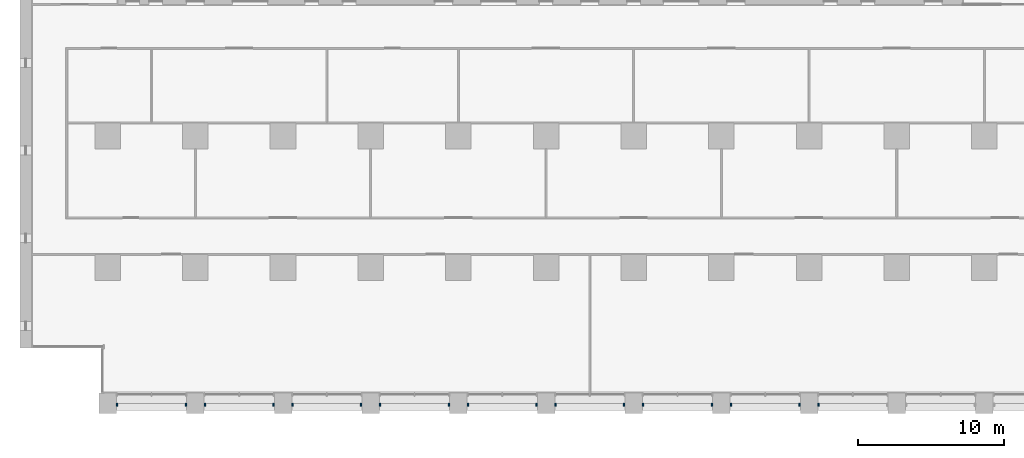
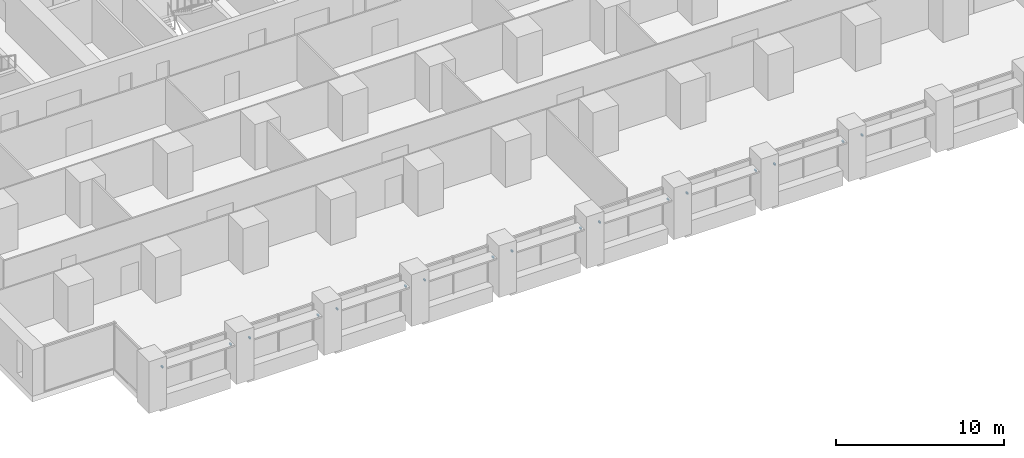
# One storey, part 15 of 18: 17 discrete accessories.
"""IFC4 building model written with IfcOpenShell, lengths in metres."""

from ifc_helpers import new_model, si_unit, direction, frame, origin, origin_2d, place, context, subcontext, project, spatial, rectangle, extrude, element, save


model = new_model("IFC4")

# Units and contexts
model_context = context("Model", 3, precision=1e-05, world=origin(), true_north=direction((0.0, 1.0)))
body_context = subcontext(model_context, "Body", "Model", "MODEL_VIEW")
ifc_project = project(units=[si_unit("LENGTHUNIT", "METRE"), si_unit("AREAUNIT", "SQUARE_METRE"), si_unit("VOLUMEUNIT", "CUBIC_METRE"), si_unit("PLANEANGLEUNIT", "RADIAN"), si_unit("MASSUNIT", "GRAM", prefix="KILO")], contexts=[model_context])

# Site, building, storey
site_placement = place(None, origin())
site = spatial("IfcSite", under=ifc_project, at=site_placement, CompositionType="ELEMENT")
building_placement = place(site_placement, origin())
building = spatial("IfcBuilding", under=site, at=building_placement, Name="Calvaro Tower", CompositionType="ELEMENT")
storey_placement = place(building_placement, frame((0.0, 0.0, 41.25)))
storey = spatial("IfcBuildingStorey", under=building, at=storey_placement, Name="L09", CompositionType="ELEMENT", Elevation=41.25)

# Discrete accessories
for number, where, z_axis, x_axis, name in (
    (1, (6.64990234375, 0.60009765625, 2.14990234375), (0.0, 0.0, 1.0), (1.0, 0.0, 0.0), "Brise-soleil bracket"),
    (2, (11.35009765625, 0.60009765625, 2.14990234375), (0.0, 0.0, 1.0), (1.0, 0.0, 0.0), "Brise-soleil bracket"),
    (3, (12.64990234375, 0.60009765625, 2.14990234375), (0.0, 0.0, 1.0), (1.0, 0.0, 0.0), "Brise-soleil bracket"),
    (4, (17.35009765625, 0.60009765625, 2.14990234375), (0.0, 0.0, 1.0), (1.0, 0.0, 0.0), "Brise-soleil bracket"),
    (5, (18.64990234375, 0.60009765625, 2.14990234375), (0.0, 0.0, 1.0), (1.0, 0.0, 0.0), "Brise-soleil bracket"),
    (6, (23.35009765625, 0.60009765625, 2.14990234375), (0.0, 0.0, 1.0), (1.0, 0.0, 0.0), "Brise-soleil bracket"),
    (7, (24.64990234375, 0.60009765625, 2.14990234375), (0.0, 0.0, 1.0), (1.0, 0.0, 0.0), "Brise-soleil bracket"),
    (8, (29.35009765625, 0.60009765625, 2.14990234375), (0.0, 0.0, 1.0), (1.0, 0.0, 0.0), "Brise-soleil bracket"),
    (9, (30.64990234375, 0.60009765625, 2.14990234375), (0.0, 0.0, 1.0), (1.0, 0.0, 0.0), "Brise-soleil bracket"),
    (10, (35.35009765625, 0.60009765625, 2.14990234375), (0.0, 0.0, 1.0), (1.0, 0.0, 0.0), "Brise-soleil bracket"),
    (11, (36.64990234375, 0.60009765625, 2.14990234375), (0.0, 0.0, 1.0), (1.0, 0.0, 0.0), "Brise-soleil bracket"),
    (12, (41.35009765625, 0.60009765625, 2.14990234375), (0.0, 0.0, 1.0), (1.0, 0.0, 0.0), "Brise-soleil bracket"),
    (13, (42.64990234375, 0.60009765625, 2.14990234375), (0.0, 0.0, 1.0), (1.0, 0.0, 0.0), "Brise-soleil bracket"),
    (14, (47.35009765625, 0.60009765625, 2.14990234375), (0.0, 0.0, 1.0), (1.0, 0.0, 0.0), "Brise-soleil bracket"),
    (15, (48.64990234375, 0.60009765625, 2.14990234375), (0.0, 0.0, 1.0), (1.0, 0.0, 0.0), "Brise-soleil bracket"),
    (16, (53.35009765625, 0.60009765625, 2.14990234375), (0.0, 0.0, 1.0), (1.0, 0.0, 0.0), "Brise-soleil bracket"),
    (17, (54.64990234375, 0.60009765625, 2.14990234375), (0.0, 0.0, 1.0), (1.0, 0.0, 0.0), "Brise-soleil bracket"),
):
    element("IfcDiscreteAccessory", number, at=place(storey_placement, frame(where, z_axis=z_axis, x_axis=x_axis)), inside=storey, Name=name, PredefinedType="BRACKET", context=body_context, shape_type="SweptSolid", body=[
        extrude(rectangle(XDim=0.10009765625, YDim=0.199951171875, at=origin_2d()), origin(), (0.0, 0.0, 1.0), 0.10009765625),
    ])

save(model, "model.ifc")
